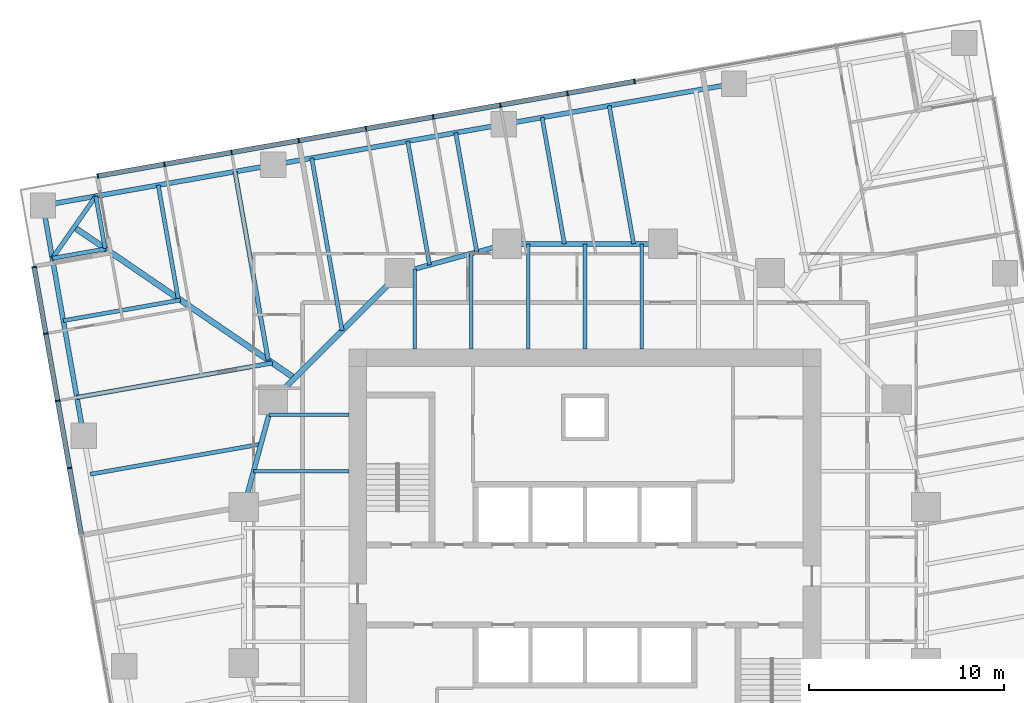
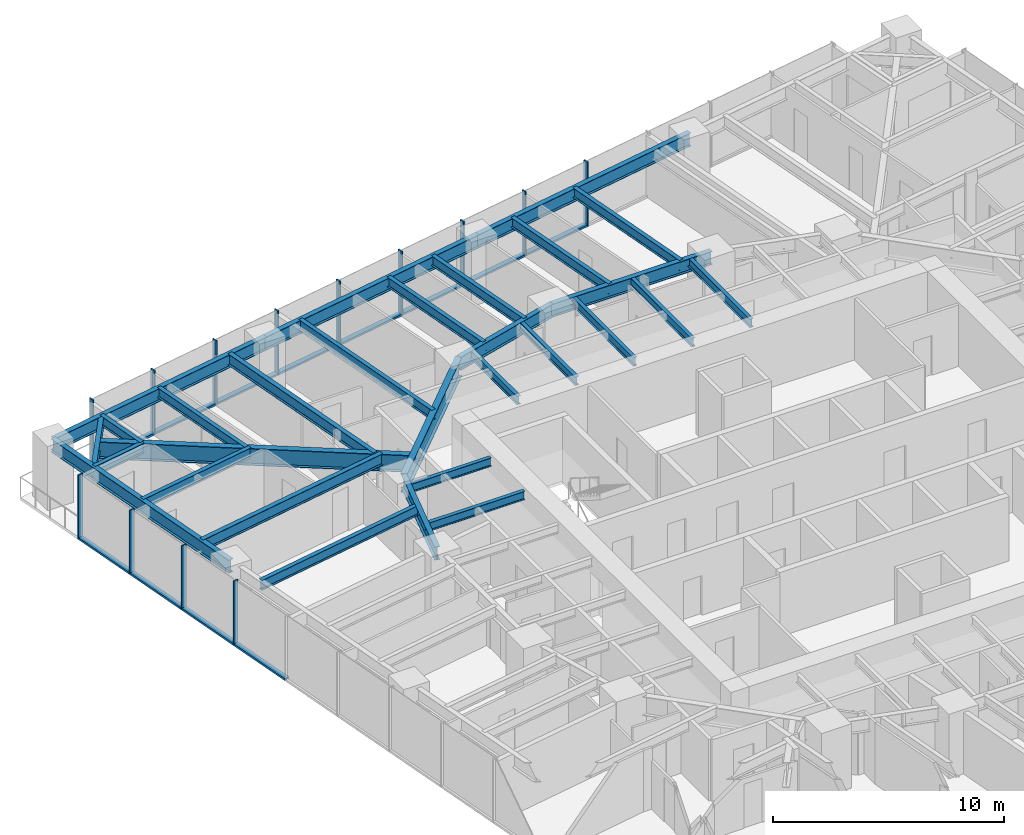
# One storey, part 5 of 14: 29 beams, 25 members, 2 elements without a shape of their own.
"""IFC4 building model written with IfcOpenShell, lengths in metres."""

from ifc_helpers import new_model, si_unit, direction, frame, origin, origin_2d, place, context, subcontext, project, spatial, rectangle, i_section, extrude, material, material_profile, profile_set, type_object, element, aggregate, save


model = new_model("IFC4")

# Units and contexts
model_context = context("Model", 3, precision=1e-05, world=origin(), true_north=direction((0.0, 1.0)))
body_context = subcontext(model_context, "Body", "Model", "MODEL_VIEW")
ifc_project = project(units=[si_unit("LENGTHUNIT", "METRE"), si_unit("AREAUNIT", "SQUARE_METRE"), si_unit("VOLUMEUNIT", "CUBIC_METRE"), si_unit("PLANEANGLEUNIT", "RADIAN"), si_unit("MASSUNIT", "GRAM", prefix="KILO")], contexts=[model_context])

# Site, building, storey
site_placement = place(None, origin())
site = spatial("IfcSite", under=ifc_project, at=site_placement, CompositionType="ELEMENT")
building_placement = place(site_placement, origin())
building = spatial("IfcBuilding", under=site, at=building_placement, Name="Torsade Residences", CompositionType="ELEMENT")
storey_placement = place(building_placement, frame((0.0, 0.0, 86.199951171875)))
storey = spatial("IfcBuildingStorey", under=building, at=storey_placement, Name="L23", CompositionType="ELEMENT", Elevation=86.199951171875)

# Beams
ifc_material_1 = material(Name="Steel grade 300", Category="steel")
ifc_material_profile_1 = material_profile(ifc_material_1, i_section(OverallWidth=0.300048828125, OverallDepth=0.89990234375, WebThickness=0.011962890625, FlangeThickness=0.02490234375, at=origin_2d()), Name="900WB175")
ifc_profile_set_1 = profile_set([ifc_material_profile_1], Name="Steel grade 300")
beam_type_1 = type_object("IfcBeamType", Name="CORNER GIRDER 900WB175", PredefinedType="BEAM", material=ifc_profile_set_1)
beam_1_placement = place(storey_placement, frame((13.7900390625, 48.3525390625, 2.800048828125), z_axis=(0.825279313977, -0.564724759437, 0.0), x_axis=(0.564724759437, 0.825279313977, 0.0)))
element("IfcBeam", 1, at=beam_1_placement, inside=storey, type_object=beam_type_1, Name="Corner girder 13 L24", PredefinedType="BEAM", context=body_context, shape_type="SweptSolid", body=[
    extrude(i_section(OverallWidth=0.300048828125, OverallDepth=0.89990234375, WebThickness=0.011962890625, FlangeThickness=0.02490234375, at=origin_2d()), origin(), (0.0, 0.0, 1.0), 13.7138671875),
])
ifc_material_2 = material(Name="Steel grade 300", Category="steel")
ifc_material_profile_2 = material_profile(ifc_material_2, i_section(OverallWidth=0.22802734375, OverallDepth=0.60205078125, WebThickness=0.010498046875, FlangeThickness=0.014892578125, FilletRadius=0.013916015625, at=origin_2d()), Name="610UB101")
ifc_profile_set_2 = profile_set([ifc_material_profile_2], Name="Steel grade 300")
beam_type_2 = type_object("IfcBeamType", Name="CORNER TRIMMER 610UB101", PredefinedType="BEAM", material=ifc_profile_set_2)
beam_2_placement = place(storey_placement, frame((12.674560546875, 46.759521484375, 2.948974609375), z_axis=(0.573576092373, 0.819152285145, 0.0), x_axis=(-0.819152285145, 0.573576092373, 0.0)))
element("IfcBeam", 2, at=beam_2_placement, inside=storey, type_object=beam_type_2, Name="Corner trimmer 13 L24", PredefinedType="BEAM", context=body_context, shape_type="SweptSolid", body=[
    extrude(i_section(OverallWidth=0.22802734375, OverallDepth=0.60205078125, WebThickness=0.010498046875, FlangeThickness=0.014892578125, FilletRadius=0.013916015625, at=origin_2d()), origin(), (0.0, 0.0, 1.0), 3.88916015625),
])

# Curtain wall, members
ifc_material_3 = material(Name="Aluminium and glass", Category="aluminium")
curtain_wall_type = type_object("IfcCurtainWallType", Name="FRITTED GLASS CURTAIN WALL LOW ZONE", PredefinedType="NOTDEFINED", material=ifc_material_3)
curtain_wall_1_placement = place(storey_placement, origin())
curtain_wall_1 = element("IfcCurtainWall", 3, at=curtain_wall_1_placement, inside=storey, type_object=curtain_wall_type, Name="Curtain wall L23 face 7", PredefinedType="NOTDEFINED")
ifc_material_4 = material(Name="Aluminium mullion", Category="aluminium")
ifc_material_profile_3 = material_profile(ifc_material_4, rectangle(XDim=0.25, YDim=0.06494140625, at=origin_2d()), Name="CURTAIN WALL MULLION 250x65")
ifc_profile_set_3 = profile_set([ifc_material_profile_3], Name="Aluminium mullion")
member_type_1 = type_object("IfcMemberType", Name="CURTAIN WALL MULLION 250x65", PredefinedType="MULLION", material=ifc_profile_set_3)
member_1_placement = place(storey_placement, frame((42.552490234375, 55.835693359375, 0.0), z_axis=(0.0, 0.0, 1.0), x_axis=(0.173648192638, -0.984807750372, 0.0)))
member_1 = element("IfcMember", 4, at=member_1_placement, type_object=member_type_1, Name="Mullion 5", PredefinedType="MULLION", context=body_context, shape_type="SweptSolid", body=[
    extrude(rectangle(XDim=0.25, YDim=0.06494140625, at=origin_2d()), origin(), (0.0, 0.0, 1.0), 3.400146484375),
])
member_2_placement = place(storey_placement, frame((39.105712890625, 55.22802734375, 0.0), z_axis=(0.0, 0.0, 1.0), x_axis=(0.173648192638, -0.984807750372, 0.0)))
member_2 = element("IfcMember", 5, at=member_2_placement, type_object=member_type_1, Name="Mullion 6", PredefinedType="MULLION", context=body_context, shape_type="SweptSolid", body=[
    extrude(rectangle(XDim=0.25, YDim=0.06494140625, at=origin_2d()), origin(), (0.0, 0.0, 1.0), 3.400146484375),
])
member_3_placement = place(storey_placement, frame((35.65869140625, 54.6201171875, 0.0), z_axis=(0.0, 0.0, 1.0), x_axis=(0.173648192638, -0.984807750372, 0.0)))
member_3 = element("IfcMember", 6, at=member_3_placement, type_object=member_type_1, Name="Mullion 7", PredefinedType="MULLION", context=body_context, shape_type="SweptSolid", body=[
    extrude(rectangle(XDim=0.25, YDim=0.06494140625, at=origin_2d()), origin(), (0.0, 0.0, 1.0), 3.400146484375),
])
member_4_placement = place(storey_placement, frame((32.2119140625, 54.012451171875, 0.0), z_axis=(0.0, 0.0, 1.0), x_axis=(0.173648192638, -0.984807750372, 0.0)))
member_4 = element("IfcMember", 7, at=member_4_placement, type_object=member_type_1, Name="Mullion 8", PredefinedType="MULLION", context=body_context, shape_type="SweptSolid", body=[
    extrude(rectangle(XDim=0.25, YDim=0.06494140625, at=origin_2d()), origin(), (0.0, 0.0, 1.0), 3.400146484375),
])
member_5_placement = place(storey_placement, frame((28.76513671875, 53.404541015625, 0.0), z_axis=(0.0, 0.0, 1.0), x_axis=(0.173648192638, -0.984807750372, 0.0)))
member_5 = element("IfcMember", 8, at=member_5_placement, type_object=member_type_1, Name="Mullion 9", PredefinedType="MULLION", context=body_context, shape_type="SweptSolid", body=[
    extrude(rectangle(XDim=0.25, YDim=0.06494140625, at=origin_2d()), origin(), (0.0, 0.0, 1.0), 3.400146484375),
])
member_6_placement = place(storey_placement, frame((25.318359375, 52.796875, 0.0), z_axis=(0.0, 0.0, 1.0), x_axis=(0.173648192638, -0.984807750372, 0.0)))
member_6 = element("IfcMember", 9, at=member_6_placement, type_object=member_type_1, Name="Mullion 10", PredefinedType="MULLION", context=body_context, shape_type="SweptSolid", body=[
    extrude(rectangle(XDim=0.25, YDim=0.06494140625, at=origin_2d()), origin(), (0.0, 0.0, 1.0), 3.400146484375),
])
member_7_placement = place(storey_placement, frame((21.87158203125, 52.189208984375, 0.0), z_axis=(0.0, 0.0, 1.0), x_axis=(0.173648192638, -0.984807750372, 0.0)))
member_7 = element("IfcMember", 10, at=member_7_placement, type_object=member_type_1, Name="Mullion 11", PredefinedType="MULLION", context=body_context, shape_type="SweptSolid", body=[
    extrude(rectangle(XDim=0.25, YDim=0.06494140625, at=origin_2d()), origin(), (0.0, 0.0, 1.0), 3.400146484375),
])
member_8_placement = place(storey_placement, frame((18.424560546875, 51.581298828125, 0.0), z_axis=(0.0, 0.0, 1.0), x_axis=(0.173648192638, -0.984807750372, 0.0)))
member_8 = element("IfcMember", 11, at=member_8_placement, type_object=member_type_1, Name="Mullion 12", PredefinedType="MULLION", context=body_context, shape_type="SweptSolid", body=[
    extrude(rectangle(XDim=0.25, YDim=0.06494140625, at=origin_2d()), origin(), (0.0, 0.0, 1.0), 3.400146484375),
])
member_9_placement = place(storey_placement, frame((15.009765625, 50.979248046875, 0.0), z_axis=(0.0, 0.0, 1.0), x_axis=(0.173648192638, -0.984807750372, 0.0)))
member_9 = element("IfcMember", 12, at=member_9_placement, type_object=member_type_1, Name="Mullion 13", PredefinedType="MULLION", context=body_context, shape_type="SweptSolid", body=[
    extrude(rectangle(XDim=0.25, YDim=0.06494140625, at=origin_2d()), origin(), (0.0, 0.0, 1.0), 3.400146484375),
])

curtain_wall_2_placement = place(storey_placement, origin())
curtain_wall_2 = element("IfcCurtainWall", 13, at=curtain_wall_2_placement, inside=storey, type_object=curtain_wall_type, Name="Curtain wall L23 face 10", PredefinedType="NOTDEFINED")
member_10_placement = place(storey_placement, frame((11.73876953125, 46.307861328125, 0.0), z_axis=(0.0, 0.0, 1.0), x_axis=(0.984807750372, 0.173648192638, 0.0)))
member_10 = element("IfcMember", 14, at=member_10_placement, type_object=member_type_1, Name="Mullion 1", PredefinedType="MULLION", context=body_context, shape_type="SweptSolid", body=[
    extrude(rectangle(XDim=0.25, YDim=0.06494140625, at=origin_2d()), origin(), (0.0, 0.0, 1.0), 3.400146484375),
])
member_11_placement = place(storey_placement, frame((12.341064453125, 42.892822265625, 0.0), z_axis=(0.0, 0.0, 1.0), x_axis=(0.984807750372, 0.173648192638, 0.0)))
member_11 = element("IfcMember", 15, at=member_11_placement, type_object=member_type_1, Name="Mullion 2", PredefinedType="MULLION", context=body_context, shape_type="SweptSolid", body=[
    extrude(rectangle(XDim=0.25, YDim=0.06494140625, at=origin_2d()), origin(), (0.0, 0.0, 1.0), 3.400146484375),
])
member_12_placement = place(storey_placement, frame((12.94873046875, 39.446044921875, 0.0), z_axis=(0.0, 0.0, 1.0), x_axis=(0.984807750372, 0.173648192638, 0.0)))
member_12 = element("IfcMember", 16, at=member_12_placement, type_object=member_type_1, Name="Mullion 3", PredefinedType="MULLION", context=body_context, shape_type="SweptSolid", body=[
    extrude(rectangle(XDim=0.25, YDim=0.06494140625, at=origin_2d()), origin(), (0.0, 0.0, 1.0), 3.400146484375),
])
member_13_placement = place(storey_placement, frame((13.556396484375, 35.999267578125, 0.0), z_axis=(0.0, 0.0, 1.0), x_axis=(0.984807750372, 0.173648192638, 0.0)))
member_13 = element("IfcMember", 17, at=member_13_placement, type_object=member_type_1, Name="Mullion 4", PredefinedType="MULLION", context=body_context, shape_type="SweptSolid", body=[
    extrude(rectangle(XDim=0.25, YDim=0.06494140625, at=origin_2d()), origin(), (0.0, 0.0, 1.0), 3.400146484375),
])

# Member
ifc_material_5 = material(Name="Aluminium transom", Category="aluminium")
ifc_material_profile_4 = material_profile(ifc_material_5, rectangle(XDim=0.25, YDim=0.10009765625, at=origin_2d()), Name="CURTAIN WALL TRANSOM 250x100")
ifc_profile_set_4 = profile_set([ifc_material_profile_4], Name="Aluminium transom")
member_type_2 = type_object("IfcMemberType", Name="CURTAIN WALL TRANSOM 250x100", PredefinedType="USERDEFINED", material=ifc_profile_set_4)
member_14_placement = place(storey_placement, frame((42.5205078125, 55.830078125, 0.050048828125), z_axis=(-0.984810021497, -0.17363531196, 0.0), x_axis=(0.17363531196, -0.984810021497, 0.0)))
member_14 = element("IfcMember", 18, at=member_14_placement, type_object=member_type_2, Name="Transom 5.1", ObjectType="TRANSOM", PredefinedType="USERDEFINED", context=body_context, shape_type="SweptSolid", body=[
    extrude(rectangle(XDim=0.25, YDim=0.10009765625, at=origin_2d()), origin(), (0.0, 0.0, 1.0), 3.43505859375),
])

member_15_placement = place(storey_placement, frame((39.07373046875, 55.222412109375, 0.050048828125), z_axis=(-0.98479786563, -0.173704242465, 0.0), x_axis=(0.173704242465, -0.98479786563, 0.0)))
member_15 = element("IfcMember", 19, at=member_15_placement, type_object=member_type_2, Name="Transom 6.1", ObjectType="TRANSOM", PredefinedType="USERDEFINED", context=body_context, shape_type="SweptSolid", body=[
    extrude(rectangle(XDim=0.25, YDim=0.10009765625, at=origin_2d()), origin(), (0.0, 0.0, 1.0), 3.43505859375),
])

member_16_placement = place(storey_placement, frame((35.626708984375, 54.614501953125, 0.050048828125), z_axis=(-0.984810021497, -0.17363531196, 0.0), x_axis=(0.17363531196, -0.984810021497, 0.0)))
member_16 = element("IfcMember", 20, at=member_16_placement, type_object=member_type_2, Name="Transom 7.1", ObjectType="TRANSOM", PredefinedType="USERDEFINED", context=body_context, shape_type="SweptSolid", body=[
    extrude(rectangle(XDim=0.25, YDim=0.10009765625, at=origin_2d()), origin(), (0.0, 0.0, 1.0), 3.43505859375),
])

member_17_placement = place(storey_placement, frame((32.179931640625, 54.0068359375, 0.050048828125), z_axis=(-0.984810021497, -0.17363531196, 0.0), x_axis=(0.17363531196, -0.984810021497, 0.0)))
member_17 = element("IfcMember", 21, at=member_17_placement, type_object=member_type_2, Name="Transom 8.1", ObjectType="TRANSOM", PredefinedType="USERDEFINED", context=body_context, shape_type="SweptSolid", body=[
    extrude(rectangle(XDim=0.25, YDim=0.10009765625, at=origin_2d()), origin(), (0.0, 0.0, 1.0), 3.43505859375),
])

member_18_placement = place(storey_placement, frame((28.733154296875, 53.39892578125, 0.050048828125), z_axis=(-0.984810021497, -0.17363531196, 0.0), x_axis=(0.17363531196, -0.984810021497, 0.0)))
member_18 = element("IfcMember", 22, at=member_18_placement, type_object=member_type_2, Name="Transom 9.1", ObjectType="TRANSOM", PredefinedType="USERDEFINED", context=body_context, shape_type="SweptSolid", body=[
    extrude(rectangle(XDim=0.25, YDim=0.10009765625, at=origin_2d()), origin(), (0.0, 0.0, 1.0), 3.43505859375),
])

member_19_placement = place(storey_placement, frame((25.286376953125, 52.791259765625, 0.050048828125), z_axis=(-0.984810021497, -0.17363531196, 0.0), x_axis=(0.17363531196, -0.984810021497, 0.0)))
member_19 = element("IfcMember", 23, at=member_19_placement, type_object=member_type_2, Name="Transom 10.1", ObjectType="TRANSOM", PredefinedType="USERDEFINED", context=body_context, shape_type="SweptSolid", body=[
    extrude(rectangle(XDim=0.25, YDim=0.10009765625, at=origin_2d()), origin(), (0.0, 0.0, 1.0), 3.43505859375),
])

member_20_placement = place(storey_placement, frame((21.839599609375, 52.18359375, 0.050048828125), z_axis=(-0.98479786563, -0.173704242465, 0.0), x_axis=(0.173704242465, -0.98479786563, 0.0)))
member_20 = element("IfcMember", 24, at=member_20_placement, type_object=member_type_2, Name="Transom 11.1", ObjectType="TRANSOM", PredefinedType="USERDEFINED", context=body_context, shape_type="SweptSolid", body=[
    extrude(rectangle(XDim=0.25, YDim=0.10009765625, at=origin_2d()), origin(), (0.0, 0.0, 1.0), 3.43505859375),
])

member_21_placement = place(storey_placement, frame((18.392578125, 51.57568359375, 0.050048828125), z_axis=(-0.984808830466, -0.173642067011, 0.0), x_axis=(0.173642067011, -0.984808830466, 0.0)))
member_21 = element("IfcMember", 25, at=member_21_placement, type_object=member_type_2, Name="Transom 12.1", ObjectType="TRANSOM", PredefinedType="USERDEFINED", context=body_context, shape_type="SweptSolid", body=[
    extrude(rectangle(XDim=0.25, YDim=0.10009765625, at=origin_2d()), origin(), (0.0, 0.0, 1.0), 3.402587890625),
])

aggregate(curtain_wall_1, [member_1, member_2, member_3, member_4, member_5, member_6, member_7, member_8, member_9, member_14, member_15, member_16, member_17, member_18, member_19, member_20, member_21])

member_22_placement = place(storey_placement, frame((11.744384765625, 46.275634765625, 0.050048828125), z_axis=(0.173654337918, -0.984806666774, 0.0), x_axis=(0.984806666774, 0.173654337918, 0.0)))
member_22 = element("IfcMember", 26, at=member_22_placement, type_object=member_type_2, Name="Transom 1.1", ObjectType="TRANSOM", PredefinedType="USERDEFINED", context=body_context, shape_type="SweptSolid", body=[
    extrude(rectangle(XDim=0.25, YDim=0.10009765625, at=origin_2d()), origin(), (0.0, 0.0, 1.0), 3.40234375),
])

member_23_placement = place(storey_placement, frame((12.3466796875, 42.86083984375, 0.050048828125), z_axis=(0.17363531196, -0.984810021497, 0.0), x_axis=(0.984810021497, 0.17363531196, 0.0)))
member_23 = element("IfcMember", 27, at=member_23_placement, type_object=member_type_2, Name="Transom 2.1", ObjectType="TRANSOM", PredefinedType="USERDEFINED", context=body_context, shape_type="SweptSolid", body=[
    extrude(rectangle(XDim=0.25, YDim=0.10009765625, at=origin_2d()), origin(), (0.0, 0.0, 1.0), 3.43505859375),
])

member_24_placement = place(storey_placement, frame((12.954345703125, 39.4140625, 0.050048828125), z_axis=(0.17363531196, -0.984810021497, 0.0), x_axis=(0.984810021497, 0.17363531196, 0.0)))
member_24 = element("IfcMember", 28, at=member_24_placement, type_object=member_type_2, Name="Transom 3.1", ObjectType="TRANSOM", PredefinedType="USERDEFINED", context=body_context, shape_type="SweptSolid", body=[
    extrude(rectangle(XDim=0.25, YDim=0.10009765625, at=origin_2d()), origin(), (0.0, 0.0, 1.0), 3.43505859375),
])

member_25_placement = place(storey_placement, frame((13.562255859375, 35.96728515625, 0.050048828125), z_axis=(0.17363531196, -0.984810021497, 0.0), x_axis=(0.984810021497, 0.17363531196, 0.0)))
member_25 = element("IfcMember", 29, at=member_25_placement, type_object=member_type_2, Name="Transom 4.1", ObjectType="TRANSOM", PredefinedType="USERDEFINED", context=body_context, shape_type="SweptSolid", body=[
    extrude(rectangle(XDim=0.25, YDim=0.10009765625, at=origin_2d()), origin(), (0.0, 0.0, 1.0), 3.43505859375),
])

aggregate(curtain_wall_2, [member_10, member_11, member_12, member_13, member_22, member_23, member_24, member_25])

# Beams
ifc_material_6 = material(Name="Steel grade 300", Category="steel")
ifc_material_profile_5 = material_profile(ifc_material_6, i_section(OverallWidth=0.25, OverallDepth=0.699951171875, WebThickness=0.010009765625, FlangeThickness=0.02001953125, at=origin_2d()), Name="700WB130")
ifc_profile_set_5 = profile_set([ifc_material_profile_5], Name="Steel grade 300")
beam_type_3 = type_object("IfcBeamType", Name="EDGE BEAM 700WB130", PredefinedType="SPANDREL", material=ifc_profile_set_5)
beam_3_placement = place(storey_placement, frame((47.650146484375, 55.71923828125, 2.900146484375), z_axis=(-0.984808127031, -0.173646056486, 0.0), x_axis=(0.173646056486, -0.984808127031, 0.0)))
element("IfcBeam", 30, at=beam_3_placement, inside=storey, type_object=beam_type_3, Name="Edge beam 10 L24", PredefinedType="SPANDREL", context=body_context, shape_type="SweptSolid", body=[
    extrude(i_section(OverallWidth=0.25, OverallDepth=0.699951171875, WebThickness=0.010009765625, FlangeThickness=0.02001953125, at=origin_2d()), origin(), (0.0, 0.0, 1.0), 12.0),
])
beam_4_placement = place(storey_placement, frame((35.83251953125, 53.635498046875, 2.900146484375), z_axis=(-0.984805261243, -0.173662308598, 0.0), x_axis=(0.173662308598, -0.984805261243, 0.0)))
element("IfcBeam", 31, at=beam_4_placement, inside=storey, type_object=beam_type_3, Name="Edge beam 11 L24", PredefinedType="SPANDREL", context=body_context, shape_type="SweptSolid", body=[
    extrude(i_section(OverallWidth=0.25, OverallDepth=0.699951171875, WebThickness=0.010009765625, FlangeThickness=0.02001953125, at=origin_2d()), origin(), (0.0, 0.0, 1.0), 12.000244140625),
])
for number, where, z_axis, x_axis, name in (
    (32, (24.0146484375, 51.551513671875, 2.900146484375), (-0.984808127031, -0.173646056486, 0.0), (0.173646056486, -0.984808127031, 0.0), "Edge beam 12 L24"),
    (33, (12.197021484375, 49.4677734375, 2.900146484375), (0.173646056486, -0.984808127031, 0.0), (0.984808127031, 0.173646056486, 0.0), "Edge beam 13 L24"),
):
    element("IfcBeam", number, at=place(storey_placement, frame(where, z_axis=z_axis, x_axis=x_axis)), inside=storey, type_object=beam_type_3, Name=name, PredefinedType="SPANDREL", context=body_context, shape_type="SweptSolid", body=[
        extrude(i_section(OverallWidth=0.25, OverallDepth=0.699951171875, WebThickness=0.010009765625, FlangeThickness=0.02001953125, at=origin_2d()), origin(), (0.0, 0.0, 1.0), 12.0),
    ])
ifc_material_7 = material(Name="Steel grade 300", Category="steel")
ifc_material_profile_6 = material_profile(ifc_material_7, i_section(OverallWidth=0.18994140625, OverallDepth=0.4541015625, WebThickness=0.008544921875, FlangeThickness=0.0126953125, FilletRadius=0.011474609375, at=origin_2d()), Name="460UB67.1")
ifc_profile_set_6 = profile_set([ifc_material_profile_6], Name="Steel grade 300")
beam_type_4 = type_object("IfcBeamType", Name="INNER FLOOR BEAM 460UB67.1", PredefinedType="JOIST", material=ifc_profile_set_6)
beam_5_placement = place(storey_placement, frame((31.262451171875, 42.10009765625, 3.02294921875), z_axis=(0.0, 1.0, 0.0), x_axis=(-1.0, 0.0, 0.0)))
element("IfcBeam", 34, at=beam_5_placement, inside=storey, type_object=beam_type_4, Name="Inner floor beam IN01 L24", PredefinedType="JOIST", context=body_context, shape_type="SweptSolid", body=[
    extrude(i_section(OverallWidth=0.18994140625, OverallDepth=0.4541015625, WebThickness=0.008544921875, FlangeThickness=0.0126953125, FilletRadius=0.011474609375, at=origin_2d()), origin(), (0.0, 0.0, 1.0), 4.10791015625),
])
beam_6_placement = place(storey_placement, frame((34.175048828125, 42.10009765625, 3.02294921875), z_axis=(0.0, 1.0, 0.0), x_axis=(-1.0, 0.0, 0.0)))
element("IfcBeam", 35, at=beam_6_placement, inside=storey, type_object=beam_type_4, Name="Inner floor beam IN02 L24", PredefinedType="JOIST", context=body_context, shape_type="SweptSolid", body=[
    extrude(i_section(OverallWidth=0.18994140625, OverallDepth=0.4541015625, WebThickness=0.008544921875, FlangeThickness=0.0126953125, FilletRadius=0.011474609375, at=origin_2d()), origin(), (0.0, 0.0, 1.0), 4.902099609375),
])
for number, where, z_axis, x_axis, name in (
    (36, (37.08740234375, 42.10009765625, 3.02294921875), (0.0, 1.0, 0.0), (-1.0, 0.0, 0.0), "Inner floor beam IN03 L24"),
    (37, (40.0, 42.10009765625, 3.02294921875), (0.0, 1.0, 0.0), (-1.0, 0.0, 0.0), "Inner floor beam IN04 L24"),
    (38, (42.91259765625, 42.10009765625, 3.02294921875), (0.0, 1.0, 0.0), (-1.0, 0.0, 0.0), "Inner floor beam IN05 L24"),
):
    element("IfcBeam", number, at=place(storey_placement, frame(where, z_axis=z_axis, x_axis=x_axis)), inside=storey, type_object=beam_type_4, Name=name, PredefinedType="JOIST", context=body_context, shape_type="SweptSolid", body=[
        extrude(i_section(OverallWidth=0.18994140625, OverallDepth=0.4541015625, WebThickness=0.008544921875, FlangeThickness=0.0126953125, FilletRadius=0.011474609375, at=origin_2d()), origin(), (0.0, 0.0, 1.0), 5.39990234375),
    ])
beam_7_placement = place(storey_placement, frame((27.89990234375, 38.737548828125, 3.02294921875), z_axis=(-1.0, 0.0, 0.0), x_axis=(0.0, -1.0, 0.0)))
element("IfcBeam", 39, at=beam_7_placement, inside=storey, type_object=beam_type_4, Name="Inner floor beam IW01 L24", PredefinedType="JOIST", context=body_context, shape_type="SweptSolid", body=[
    extrude(i_section(OverallWidth=0.18994140625, OverallDepth=0.4541015625, WebThickness=0.008544921875, FlangeThickness=0.0126953125, FilletRadius=0.011474609375, at=origin_2d()), origin(), (0.0, 0.0, 1.0), 4.10791015625),
])
beam_8_placement = place(storey_placement, frame((27.89990234375, 35.824951171875, 3.02294921875), z_axis=(-1.0, 0.0, 0.0), x_axis=(0.0, -1.0, 0.0)))
element("IfcBeam", 40, at=beam_8_placement, inside=storey, type_object=beam_type_4, Name="Inner floor beam IW02 L24", PredefinedType="JOIST", context=body_context, shape_type="SweptSolid", body=[
    extrude(i_section(OverallWidth=0.18994140625, OverallDepth=0.4541015625, WebThickness=0.008544921875, FlangeThickness=0.0126953125, FilletRadius=0.011474609375, at=origin_2d()), origin(), (0.0, 0.0, 1.0), 4.902099609375),
])
ifc_material_8 = material(Name="Steel grade 300", Category="steel")
ifc_material_profile_7 = material_profile(ifc_material_8, i_section(OverallWidth=0.300048828125, OverallDepth=1.0, WebThickness=0.01611328125, FlangeThickness=0.028076171875, at=origin_2d()), Name="1000WB215")
ifc_profile_set_7 = profile_set([ifc_material_profile_7], Name="Steel grade 300")
beam_type_5 = type_object("IfcBeamType", Name="RING CORNER GIRDER 1000WB215", PredefinedType="BEAM", material=ifc_profile_set_7)
beam_9_placement = place(storey_placement, frame((30.5, 46.0, 2.75), z_axis=(-0.707106781187, -0.707106781187, 0.0), x_axis=(0.707106781187, -0.707106781187, 0.0)))
element("IfcBeam", 41, at=beam_9_placement, inside=storey, type_object=beam_type_5, Name="Ring girder IR07 L24", PredefinedType="BEAM", context=body_context, shape_type="SweptSolid", body=[
    extrude(i_section(OverallWidth=0.300048828125, OverallDepth=1.0, WebThickness=0.01611328125, FlangeThickness=0.028076171875, at=origin_2d()), origin(), (0.0, 0.0, 1.0), 9.1923828125),
])
ifc_material_9 = material(Name="Steel grade 300", Category="steel")
ifc_material_profile_8 = material_profile(ifc_material_9, i_section(OverallWidth=0.25, OverallDepth=0.699951171875, WebThickness=0.010009765625, FlangeThickness=0.02001953125, at=origin_2d()), Name="700WB130")
ifc_profile_set_8 = profile_set([ifc_material_profile_8], Name="Steel grade 300")
beam_type_6 = type_object("IfcBeamType", Name="RING GIRDER 700WB130", PredefinedType="BEAM", material=ifc_profile_set_8)
beam_10_placement = place(storey_placement, frame((44.0, 47.5, 2.900146484375), z_axis=(-1.0, 0.0, 0.0), x_axis=(0.0, -1.0, 0.0)))
element("IfcBeam", 42, at=beam_10_placement, inside=storey, type_object=beam_type_6, Name="Ring girder IR05 L24", PredefinedType="BEAM", context=body_context, shape_type="SweptSolid", body=[
    extrude(i_section(OverallWidth=0.25, OverallDepth=0.699951171875, WebThickness=0.010009765625, FlangeThickness=0.02001953125, at=origin_2d()), origin(), (0.0, 0.0, 1.0), 8.0),
])
for number, where, z_axis, x_axis, name in (
    (43, (36.0, 47.5, 2.900146484375), (-0.964763821238, -0.263117405792, 0.0), (0.263117405792, -0.964763821238, 0.0), "Ring girder IR06 L24"),
    (44, (24.0, 39.5, 2.900146484375), (-0.263117405792, -0.964763821238, 0.0), (0.964763821238, -0.263117405792, 0.0), "Ring girder IR08 L24"),
):
    element("IfcBeam", number, at=place(storey_placement, frame(where, z_axis=z_axis, x_axis=x_axis)), inside=storey, type_object=beam_type_6, Name=name, PredefinedType="BEAM", context=body_context, shape_type="SweptSolid", body=[
        extrude(i_section(OverallWidth=0.25, OverallDepth=0.699951171875, WebThickness=0.010009765625, FlangeThickness=0.02001953125, at=origin_2d()), origin(), (0.0, 0.0, 1.0), 5.700927734375),
    ])
ifc_material_10 = material(Name="Steel grade 300", Category="steel")
ifc_material_profile_9 = material_profile(ifc_material_10, i_section(OverallWidth=0.208984375, OverallDepth=0.528076171875, WebThickness=0.009521484375, FlangeThickness=0.01318359375, FilletRadius=0.013916015625, at=origin_2d()), Name="530UB82.0")
ifc_profile_set_9 = profile_set([ifc_material_profile_9], Name="Steel grade 300")
beam_type_7 = type_object("IfcBeamType", Name="SECONDARY BEAM 530UB82.0", PredefinedType="JOIST", material=ifc_profile_set_9)
beam_11_placement = place(storey_placement, frame((41.248779296875, 54.59033203125, 2.986083984375), z_axis=(0.173651855324, -0.984807104535, 0.0), x_axis=(0.984807104535, 0.173651855324, 0.0)))
element("IfcBeam", 45, at=beam_11_placement, inside=storey, type_object=beam_type_7, Name="Floor beam FN05 L24", PredefinedType="JOIST", context=body_context, shape_type="SweptSolid", body=[
    extrude(i_section(OverallWidth=0.208984375, OverallDepth=0.528076171875, WebThickness=0.009521484375, FlangeThickness=0.01318359375, FilletRadius=0.013916015625, at=origin_2d()), origin(), (0.0, 0.0, 1.0), 7.19970703125),
])
beam_12_placement = place(storey_placement, frame((37.802001953125, 53.982666015625, 2.986083984375), z_axis=(0.173647806501, -0.984807818459, 0.0), x_axis=(0.984807818459, 0.173647806501, 0.0)))
element("IfcBeam", 46, at=beam_12_placement, inside=storey, type_object=beam_type_7, Name="Floor beam FN06 L24", PredefinedType="JOIST", context=body_context, shape_type="SweptSolid", body=[
    extrude(i_section(OverallWidth=0.208984375, OverallDepth=0.528076171875, WebThickness=0.009521484375, FlangeThickness=0.01318359375, FilletRadius=0.013916015625, at=origin_2d()), origin(), (0.0, 0.0, 1.0), 6.582763671875),
])
beam_13_placement = place(storey_placement, frame((33.370361328125, 53.201171875, 2.986083984375), z_axis=(0.173655425542, -0.984806474989, 0.0), x_axis=(0.984806474989, 0.173655425542, 0.0)))
element("IfcBeam", 47, at=beam_13_placement, inside=storey, type_object=beam_type_7, Name="Floor beam FN07 L24", PredefinedType="JOIST", context=body_context, shape_type="SweptSolid", body=[
    extrude(i_section(OverallWidth=0.208984375, OverallDepth=0.528076171875, WebThickness=0.009521484375, FlangeThickness=0.01318359375, FilletRadius=0.013916015625, at=origin_2d()), origin(), (0.0, 0.0, 1.0), 6.21826171875),
])
beam_14_placement = place(storey_placement, frame((30.908447265625, 52.76708984375, 2.986083984375), z_axis=(0.17363198078, -0.984810608823, 0.0), x_axis=(0.984810608823, 0.17363198078, 0.0)))
element("IfcBeam", 48, at=beam_14_placement, inside=storey, type_object=beam_type_7, Name="Floor beam FN08 L24", PredefinedType="JOIST", context=body_context, shape_type="SweptSolid", body=[
    extrude(i_section(OverallWidth=0.208984375, OverallDepth=0.528076171875, WebThickness=0.009521484375, FlangeThickness=0.01318359375, FilletRadius=0.013916015625, at=origin_2d()), origin(), (0.0, 0.0, 1.0), 6.4482421875),
])
beam_15_placement = place(storey_placement, frame((25.984375, 51.89892578125, 2.986083984375), z_axis=(0.173639706679, -0.984809246638, 0.0), x_axis=(0.984809246638, 0.173639706679, 0.0)))
element("IfcBeam", 49, at=beam_15_placement, inside=storey, type_object=beam_type_7, Name="Floor beam FN09 L24", PredefinedType="JOIST", context=body_context, shape_type="SweptSolid", body=[
    extrude(i_section(OverallWidth=0.208984375, OverallDepth=0.528076171875, WebThickness=0.009521484375, FlangeThickness=0.01318359375, FilletRadius=0.013916015625, at=origin_2d()), origin(), (0.0, 0.0, 1.0), 8.989990234375),
])
beam_16_placement = place(storey_placement, frame((18.10595703125, 50.509765625, 2.986083984375), z_axis=(0.173629569808, -0.984811033899, 0.0), x_axis=(0.984811033899, 0.173629569808, 0.0)))
element("IfcBeam", 50, at=beam_16_placement, inside=storey, type_object=beam_type_7, Name="Floor beam FN11 L24", PredefinedType="JOIST", context=body_context, shape_type="SweptSolid", body=[
    extrude(i_section(OverallWidth=0.208984375, OverallDepth=0.528076171875, WebThickness=0.009521484375, FlangeThickness=0.01318359375, FilletRadius=0.013916015625, at=origin_2d()), origin(), (0.0, 0.0, 1.0), 5.9013671875),
])
beam_17_placement = place(storey_placement, frame((14.9052734375, 49.9453125, 2.986083984375), z_axis=(0.17364710834, -0.984807941563, 0.0), x_axis=(0.984807941563, 0.17364710834, 0.0)))
element("IfcBeam", 51, at=beam_17_placement, inside=storey, type_object=beam_type_7, Name="Floor beam FN12 L24", PredefinedType="JOIST", context=body_context, shape_type="SweptSolid", body=[
    extrude(i_section(OverallWidth=0.208984375, OverallDepth=0.528076171875, WebThickness=0.009521484375, FlangeThickness=0.01318359375, FilletRadius=0.013916015625, at=origin_2d()), origin(), (0.0, 0.0, 1.0), 2.720458984375),
])
beam_18_placement = place(storey_placement, frame((12.674560546875, 46.759521484375, 2.986083984375), z_axis=(0.984797700832, 0.173705176765, 0.0), x_axis=(-0.173705176765, 0.984797700832, 0.0)))
element("IfcBeam", 52, at=beam_18_placement, inside=storey, type_object=beam_type_7, Name="Floor beam FW01 L24", PredefinedType="JOIST", context=body_context, shape_type="SweptSolid", body=[
    extrude(i_section(OverallWidth=0.208984375, OverallDepth=0.528076171875, WebThickness=0.009521484375, FlangeThickness=0.01318359375, FilletRadius=0.013916015625, at=origin_2d()), origin(), (0.0, 0.0, 1.0), 2.780029296875),
])
beam_19_placement = place(storey_placement, frame((13.239013671875, 43.55908203125, 2.986083984375), z_axis=(0.984809331556, 0.173639225065, 0.0), x_axis=(-0.173639225065, 0.984809331556, 0.0)))
element("IfcBeam", 53, at=beam_19_placement, inside=storey, type_object=beam_type_7, Name="Floor beam FW02 L24", PredefinedType="JOIST", context=body_context, shape_type="SweptSolid", body=[
    extrude(i_section(OverallWidth=0.208984375, OverallDepth=0.528076171875, WebThickness=0.009521484375, FlangeThickness=0.01318359375, FilletRadius=0.013916015625, at=origin_2d()), origin(), (0.0, 0.0, 1.0), 6.100830078125),
])
beam_20_placement = place(storey_placement, frame((14.628173828125, 35.680419921875, 2.986083984375), z_axis=(0.984804296147, 0.173667781384, 0.0), x_axis=(-0.173667781384, 0.984804296147, 0.0)))
element("IfcBeam", 54, at=beam_20_placement, inside=storey, type_object=beam_type_7, Name="Floor beam FW04 L24", PredefinedType="JOIST", context=body_context, shape_type="SweptSolid", body=[
    extrude(i_section(OverallWidth=0.208984375, OverallDepth=0.528076171875, WebThickness=0.009521484375, FlangeThickness=0.01318359375, FilletRadius=0.013916015625, at=origin_2d()), origin(), (0.0, 0.0, 1.0), 8.885986328125),
])
ifc_material_11 = material(Name="Steel grade 300", Category="steel")
ifc_material_profile_10 = material_profile(ifc_material_11, i_section(OverallWidth=0.22900390625, OverallDepth=0.612060546875, WebThickness=0.011962890625, FlangeThickness=0.01953125, FilletRadius=0.013916015625, at=origin_2d()), Name="610UB125")
ifc_profile_set_10 = profile_set([ifc_material_profile_10], Name="Steel grade 300")
beam_type_8 = type_object("IfcBeamType", Name="SECONDARY BEAM 610UB125", PredefinedType="JOIST", material=ifc_profile_set_10)
beam_21_placement = place(storey_placement, frame((22.045166015625, 51.204345703125, 2.944091796875), z_axis=(0.173651961637, -0.984807085789, 0.0), x_axis=(0.984807085789, 0.173651961637, 0.0)))
element("IfcBeam", 55, at=beam_21_placement, inside=storey, type_object=beam_type_8, Name="Floor beam FN10 L24", PredefinedType="JOIST", context=body_context, shape_type="SweptSolid", body=[
    extrude(i_section(OverallWidth=0.22900390625, OverallDepth=0.612060546875, WebThickness=0.011962890625, FlangeThickness=0.01953125, FilletRadius=0.013916015625, at=origin_2d()), origin(), (0.0, 0.0, 1.0), 9.816162109375),
])
beam_22_placement = place(storey_placement, frame((13.93359375, 39.619873046875, 2.944091796875), z_axis=(0.984808397525, 0.173644522411, 0.0), x_axis=(-0.173644522411, 0.984808397525, 0.0)))
element("IfcBeam", 56, at=beam_22_placement, inside=storey, type_object=beam_type_8, Name="Floor beam FW03 L24", PredefinedType="JOIST", context=body_context, shape_type="SweptSolid", body=[
    extrude(i_section(OverallWidth=0.22900390625, OverallDepth=0.612060546875, WebThickness=0.011962890625, FlangeThickness=0.01953125, FilletRadius=0.013916015625, at=origin_2d()), origin(), (0.0, 0.0, 1.0), 10.187744140625),
])

save(model, "model.ifc")
